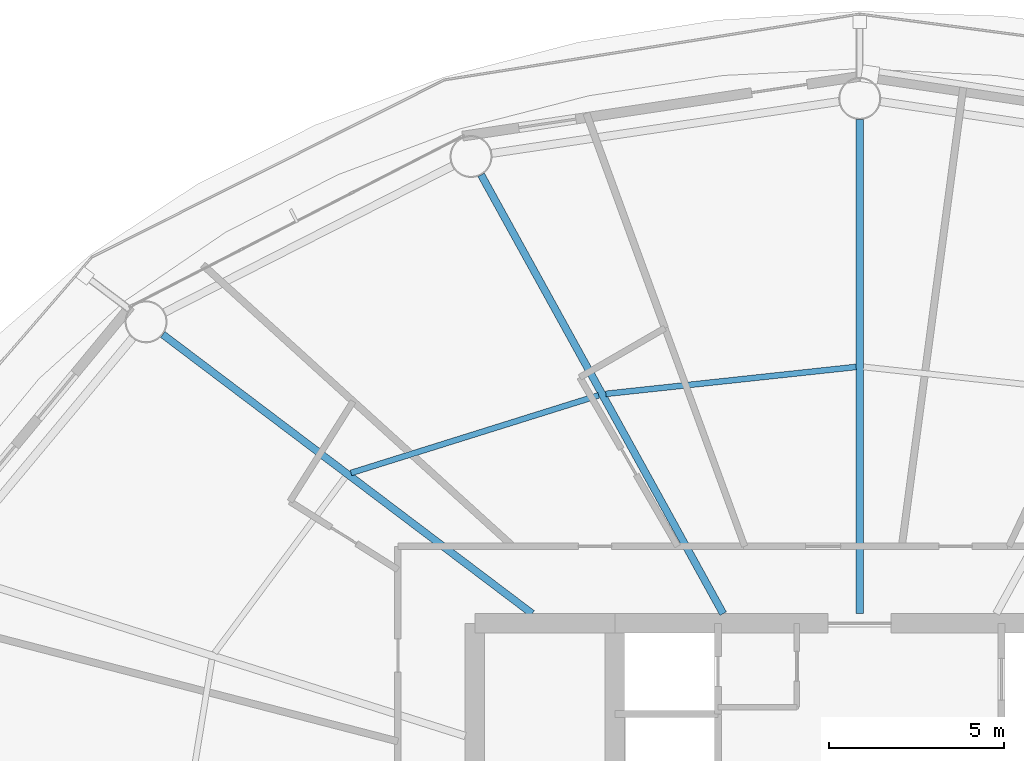
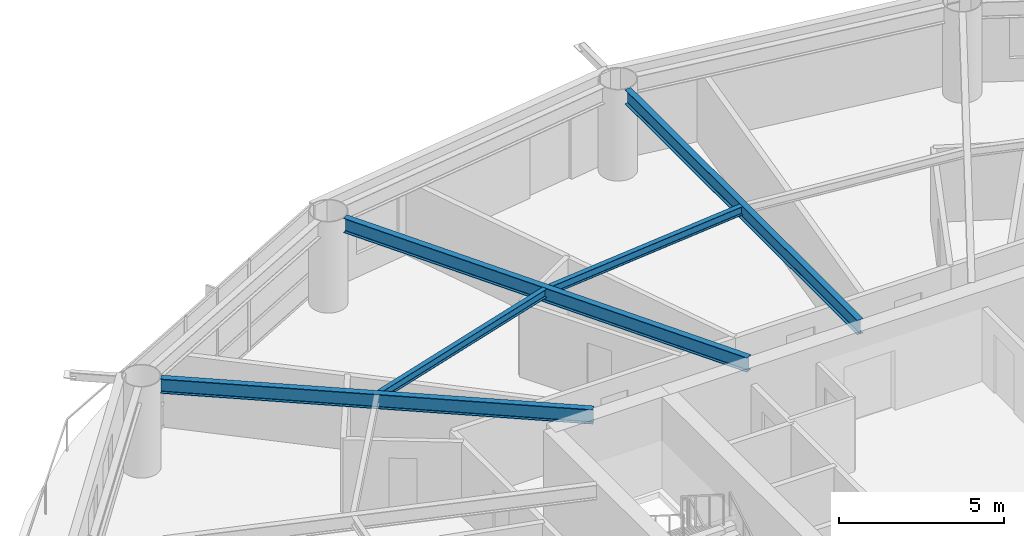
# One storey, part 9 of 24: 5 beams.
"""IFC4 building model written with IfcOpenShell, lengths in metres."""

from ifc_helpers import new_model, si_unit, direction, frame, origin, origin_2d, place, context, subcontext, project, spatial, i_section, extrude, material, material_profile, profile_set, type_object, element, save


model = new_model("IFC4")

# Units and contexts
model_context = context("Model", 3, precision=1e-05, world=origin(), true_north=direction((0.0, 1.0)))
body_context = subcontext(model_context, "Body", "Model", "MODEL_VIEW")
ifc_project = project(units=[si_unit("LENGTHUNIT", "METRE"), si_unit("AREAUNIT", "SQUARE_METRE"), si_unit("VOLUMEUNIT", "CUBIC_METRE"), si_unit("PLANEANGLEUNIT", "RADIAN"), si_unit("MASSUNIT", "GRAM", prefix="KILO")], contexts=[model_context])

# Site, building, storey
site_placement = place(None, origin())
site = spatial("IfcSite", under=ifc_project, at=site_placement, CompositionType="ELEMENT")
building_placement = place(site_placement, origin())
building = spatial("IfcBuilding", under=site, at=building_placement, Name="Sarneth Arch Tower", CompositionType="ELEMENT")
storey_placement = place(building_placement, frame((0.0, 0.0, 109.199951171875)))
storey = spatial("IfcBuildingStorey", under=building, at=storey_placement, Name="L27", CompositionType="ELEMENT", Elevation=109.199951171875)

# Beams
ifc_material_1 = material(Name="Steel S355", Category="steel")
ifc_material_profile_1 = material_profile(ifc_material_1, i_section(OverallWidth=0.1669921875, OverallDepth=0.31689453125, WebThickness=0.007568359375, FlangeThickness=0.01318359375, FilletRadius=0.012939453125, at=origin_2d()), Name="W310x52")
ifc_profile_set_1 = profile_set([ifc_material_profile_1], Name="Steel S355")
beam_type_1 = type_object("IfcBeamType", Name="BM-JOIST-310B", PredefinedType="JOIST", material=ifc_profile_set_1)
beam_1_placement = place(storey_placement, frame((47.89501953125, 56.126220703125, 3.221435546875), z_axis=(-0.994257420028, -0.107014871487, 0.0), x_axis=(0.107014871487, -0.994257420028, 0.0)))
element("IfcBeam", 1, at=beam_1_placement, inside=storey, type_object=beam_type_1, Name="L27 Secondary floor joist 05", PredefinedType="JOIST", context=body_context, shape_type="SweptSolid", body=[
    extrude(i_section(OverallWidth=0.1669921875, OverallDepth=0.31689453125, WebThickness=0.007568359375, FlangeThickness=0.01318359375, FilletRadius=0.012939453125, at=origin_2d()), origin(), (0.0, 0.0, 1.0), 7.193115234375),
])
beam_2_placement = place(storey_placement, frame((40.53759765625, 55.3134765625, 3.221435546875), z_axis=(-0.954245982384, -0.299022750146, 0.0), x_axis=(0.299022750146, -0.954245982384, 0.0)))
element("IfcBeam", 2, at=beam_2_placement, inside=storey, type_object=beam_type_1, Name="L27 Secondary floor joist 06", PredefinedType="JOIST", context=body_context, shape_type="SweptSolid", body=[
    extrude(i_section(OverallWidth=0.1669921875, OverallDepth=0.31689453125, WebThickness=0.007568359375, FlangeThickness=0.01318359375, FilletRadius=0.012939453125, at=origin_2d()), origin(), (0.0, 0.0, 1.0), 7.416748046875),
])
ifc_material_2 = material(Name="Steel S355", Category="steel")
ifc_material_profile_2 = material_profile(ifc_material_2, i_section(OverallWidth=0.2109375, OverallDepth=0.5390625, WebThickness=0.01171875, FlangeThickness=0.018798828125, FilletRadius=0.01806640625, at=origin_2d()), Name="W530x109")
ifc_profile_set_2 = profile_set([ifc_material_profile_2], Name="Steel S355")
beam_type_2 = type_object("IfcBeamType", Name="BM-RAD-530B", PredefinedType="BEAM", material=ifc_profile_set_2)
beam_3_placement = place(storey_placement, frame((48.0, 49.074951171875, 3.110595703125), z_axis=(0.0, 1.0, 0.0), x_axis=(-1.0, 0.0, 0.0)))
element("IfcBeam", 3, at=beam_3_placement, inside=storey, type_object=beam_type_2, Name="L27 Radial floor girder 05", PredefinedType="BEAM", context=body_context, shape_type="SweptSolid", body=[
    extrude(i_section(OverallWidth=0.2109375, OverallDepth=0.5390625, WebThickness=0.01171875, FlangeThickness=0.018798828125, FilletRadius=0.01806640625, at=origin_2d()), origin(), (0.0, 0.0, 1.0), 14.125),
])
beam_4_placement = place(storey_placement, frame((44.09716796875, 49.074951171875, 3.110595703125), z_axis=(-0.483021011336, 0.875608761153, 0.0), x_axis=(-0.875608761153, -0.483021011336, 0.0)))
element("IfcBeam", 4, at=beam_4_placement, inside=storey, type_object=beam_type_2, Name="L27 Radial floor girder 06", PredefinedType="BEAM", context=body_context, shape_type="SweptSolid", body=[
    extrude(i_section(OverallWidth=0.2109375, OverallDepth=0.5390625, WebThickness=0.01171875, FlangeThickness=0.018798828125, FilletRadius=0.01806640625, at=origin_2d()), origin(), (0.0, 0.0, 1.0), 14.32177734375),
])
beam_5_placement = place(storey_placement, frame((38.63818359375, 49.074951171875, 3.110595703125), z_axis=(-0.797802835234, 0.602918432371, 0.0), x_axis=(-0.602918432371, -0.797802835234, 0.0)))
element("IfcBeam", 5, at=beam_5_placement, inside=storey, type_object=beam_type_2, Name="L27 Radial floor girder 07", PredefinedType="BEAM", context=body_context, shape_type="SweptSolid", body=[
    extrude(i_section(OverallWidth=0.2109375, OverallDepth=0.5390625, WebThickness=0.01171875, FlangeThickness=0.018798828125, FilletRadius=0.01806640625, at=origin_2d()), origin(), (0.0, 0.0, 1.0), 13.232666015625),
])

save(model, "model.ifc")
